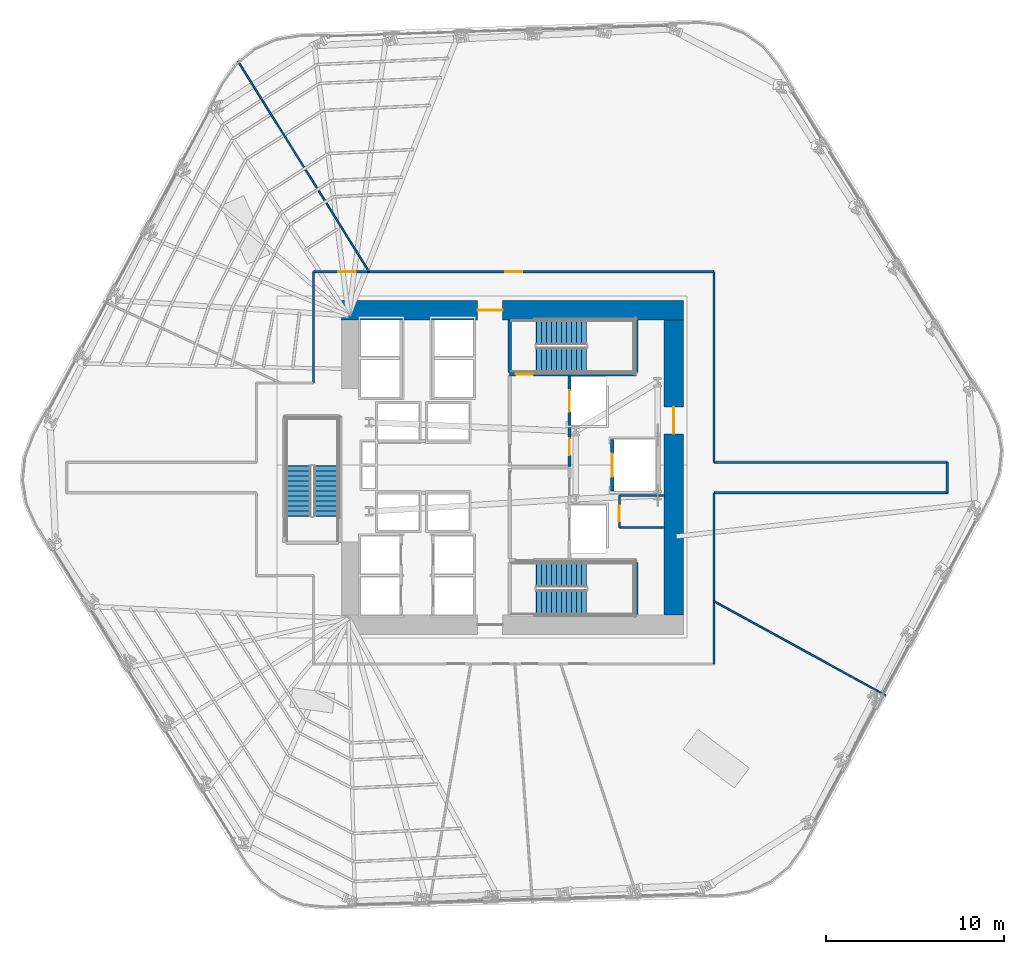
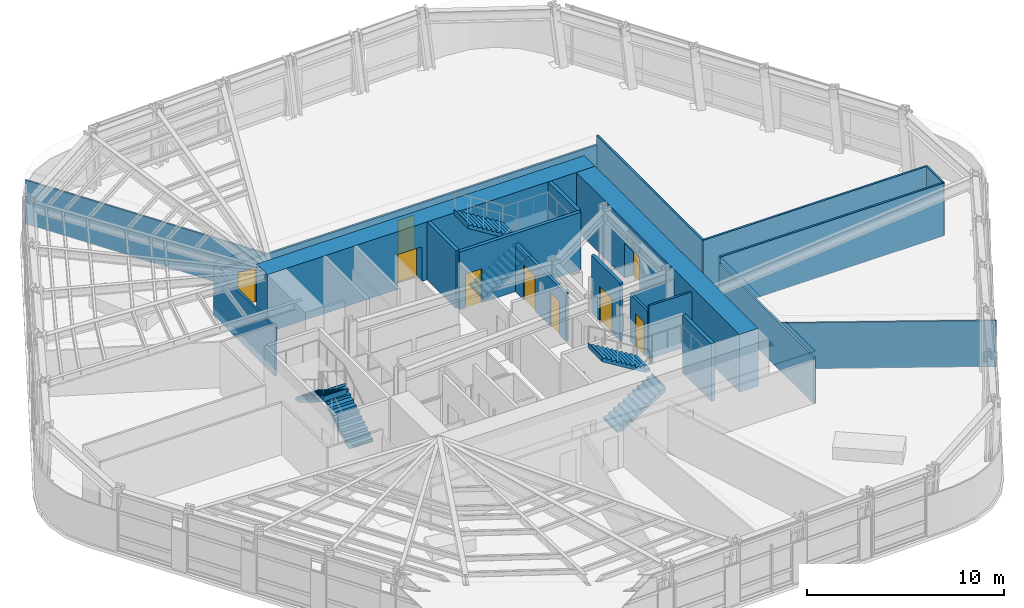
# One storey, part 9 of 15: 20 walls, 9 doors, 6 stair flights, 9 openings, 3 elements without a shape of their own.
"""IFC4 building model written with IfcOpenShell, lengths in metres."""

from ifc_helpers import new_model, si_unit, direction, frame, frame_2d, origin, place, context, subcontext, project, spatial, polyline, rectangle, outline, extrude, material, layer, layer_set, type_object, element, fill, aggregate, save


model = new_model("IFC4")

# Units and contexts
model_context = context("Model", 3, precision=1e-05, world=origin(), true_north=direction((0.0, 1.0)))
body_context = subcontext(model_context, "Body", "Model", "MODEL_VIEW")
ifc_project = project(units=[si_unit("LENGTHUNIT", "METRE"), si_unit("AREAUNIT", "SQUARE_METRE"), si_unit("VOLUMEUNIT", "CUBIC_METRE"), si_unit("PLANEANGLEUNIT", "RADIAN"), si_unit("MASSUNIT", "GRAM", prefix="KILO")], contexts=[model_context])

# Site, building, storey
site_placement = place(None, origin())
site = spatial("IfcSite", under=ifc_project, at=site_placement, CompositionType="ELEMENT")
building_placement = place(site_placement, origin())
building = spatial("IfcBuilding", under=site, at=building_placement, Name="Valkerne Bourse Tower", CompositionType="ELEMENT")
storey_placement = place(building_placement, frame((0.0, 0.0, 31.60009765625)))
storey = spatial("IfcBuildingStorey", under=building, at=storey_placement, Name="L07", CompositionType="ELEMENT", Elevation=31.60009765625)

# Wall, opening, door
ifc_material_1 = material(Name="Concrete C70/85", Category="concrete")
ifc_layer_1 = layer(ifc_material_1, 1.10009765625)
ifc_layer_set_1 = layer_set([ifc_layer_1], Name="Concrete C70/85")
wall_type_1 = type_object("IfcWallType", Name="W-CORE-1100", PredefinedType="SHEAR", material=ifc_layer_set_1)
wall_1_placement = place(storey_placement, frame((37.199951171875, 35.699951171875, 0.0), z_axis=(0.0, 0.0, 1.0), x_axis=(1.0, 0.0, 0.0)))
wall_1 = element("IfcWall", 1, at=wall_1_placement, inside=storey, type_object=wall_type_1, Name="L07 Core Shear Wall NORTH", PredefinedType="SHEAR", context=body_context, shape_type="SweptSolid", body=[
    extrude(rectangle(XDim=19.199951171875, YDim=1.10009765625, at=frame_2d((9.60009765625, 0.0))), origin(), (0.0, 0.0, 1.0), 3.579833984375),
])
opening_1_placement = place(wall_1_placement, frame((7.64990234375, 0.0, 0.0)))
opening_1 = element("IfcOpeningElement", 2, at=opening_1_placement, cuts=wall_1, Name="Opening D-PL-1400", PredefinedType="OPENING", context=body_context, shape_type="SweptSolid", body=[
    extrude(rectangle(XDim=1.39990234375, YDim=2.14990234375, at=frame_2d((0.699951171875, 1.074951171875))), frame((0.0, 0.56005859375, 0.0), z_axis=(0.0, -1.0, 0.0), x_axis=(1.0, 0.0, 0.0)), (0.0, 0.0, 1.0), 1.1201171875),
])
ifc_material_2 = material(Name="Galvanised Painted Steel", Category="steel")
door_type_1 = type_object("IfcDoorType", Name="DR-PLT-1400", OperationType="DOUBLE_DOOR_SINGLE_SWING", PredefinedType="DOOR", material=ifc_material_2)
door_1_placement = place(opening_1_placement, origin())
door_1 = element("IfcDoor", 3, at=door_1_placement, inside=storey, type_object=door_type_1, Name="L07 North Passenger Lift Hall Fire Door", OperationType="DOUBLE_DOOR_SINGLE_SWING", OverallHeight=2.14990234375, OverallWidth=1.39990234375, PredefinedType="DOOR", context=body_context, shape_type="SweptSolid", body=[
    extrude(rectangle(XDim=1.39990234375, YDim=2.14990234375, at=frame_2d((0.699951171875, 1.074951171875))), frame((0.0, 0.02490234375, 0.0), z_axis=(0.0, -1.0, 0.0), x_axis=(1.0, 0.0, 0.0)), (0.0, 0.0, 1.0), 0.050048828125),
])
fill(opening_1, door_1)

wall_2_placement = place(storey_placement, frame((55.85009765625, 18.60009765625, 0.0), z_axis=(0.0, 0.0, 1.0), x_axis=(0.0, 1.0, 0.0)))
wall_2 = element("IfcWall", 4, at=wall_2_placement, inside=storey, type_object=wall_type_1, Name="L07 Core Shear Wall EAST", PredefinedType="SHEAR", context=body_context, shape_type="SweptSolid", body=[
    extrude(rectangle(XDim=16.5498046875, YDim=1.10009765625, at=frame_2d((8.27490234375, 0.0))), origin(), (0.0, 0.0, 1.0), 3.579833984375),
])
opening_2_placement = place(wall_2_placement, frame((10.14990234375, 0.0, 0.0)))
opening_2 = element("IfcOpeningElement", 5, at=opening_2_placement, cuts=wall_2, Name="Opening D-CR-1500", PredefinedType="OPENING", context=body_context, shape_type="SweptSolid", body=[
    extrude(rectangle(XDim=1.5, YDim=2.14990234375, at=frame_2d((0.75, 1.074951171875))), frame((0.0, 0.56005859375, 0.0), z_axis=(0.0, -1.0, 0.0), x_axis=(1.0, 0.0, 0.0)), (0.0, 0.0, 1.0), 1.1201171875),
])
door_type_2 = type_object("IfcDoorType", Name="DR-CORR-1500", OperationType="DOUBLE_DOOR_SINGLE_SWING", PredefinedType="DOOR", material=ifc_material_2)
door_2_placement = place(opening_2_placement, origin())
door_2 = element("IfcDoor", 6, at=door_2_placement, inside=storey, type_object=door_type_2, Name="L07 East Core Service Lobby Fire Door", OperationType="DOUBLE_DOOR_SINGLE_SWING", OverallHeight=2.14990234375, OverallWidth=1.5, PredefinedType="DOOR", context=body_context, shape_type="SweptSolid", body=[
    extrude(rectangle(XDim=1.5, YDim=2.14990234375, at=frame_2d((0.75, 1.074951171875))), frame((0.0, 0.02490234375, 0.0), z_axis=(0.0, -1.0, 0.0), x_axis=(1.0, 0.0, 0.0)), (0.0, 0.0, 1.0), 0.050048828125),
])
fill(opening_2, door_2)

ifc_material_3 = material(Name="Gypsum Board Steel-Stud Partition", Category="steel")
ifc_layer_2 = layer(ifc_material_3, 0.117919921875)
ifc_layer_set_2 = layer_set([ifc_layer_2], Name="Gypsum Board Steel-Stud Partition")
wall_type_2 = type_object("IfcWallType", Name="W-CORR-140", PredefinedType="PARTITIONING", material=ifc_layer_set_2)
wall_3_placement = place(storey_placement, frame((52.800048828125, 23.5, 0.0), z_axis=(0.0, 0.0, 1.0), x_axis=(0.0, 1.0, 0.0)))
wall_3 = element("IfcWall", 7, at=wall_3_placement, inside=storey, type_object=wall_type_2, Name="L07 Core SE North-Bay West Wall", PredefinedType="PARTITIONING", context=body_context, shape_type="SweptSolid", body=[
    extrude(rectangle(XDim=1.800048828125, YDim=0.117919921875, at=frame_2d((0.89990234375, 0.0))), origin(), (0.0, 0.0, 1.0), 2.9580078125),
])
opening_3_placement = place(wall_3_placement, frame((0.35009765625, 0.0, 0.0)))
opening_3 = element("IfcOpeningElement", 8, at=opening_3_placement, cuts=wall_3, Name="Opening D-WC-900", PredefinedType="OPENING", context=body_context, shape_type="SweptSolid", body=[
    extrude(rectangle(XDim=0.860107421875, YDim=2.050048828125, at=frame_2d((0.43017578125, 1.02490234375))), frame((0.0, 0.06884765625, 0.0), z_axis=(0.0, -1.0, 0.0), x_axis=(1.0, 0.0, 0.0)), (0.0, 0.0, 1.0), 0.137939453125),
])
ifc_material_4 = material(Name="Architectural White Oak Timber", Category="wood")
door_type_3 = type_object("IfcDoorType", Name="DR-WC-900", OperationType="NOTDEFINED", PredefinedType="DOOR", material=ifc_material_4)
door_3_placement = place(opening_3_placement, origin())
door_3 = element("IfcDoor", 9, at=door_3_placement, inside=storey, type_object=door_type_3, Name="L07 Telecom Closet Door", OperationType="SINGLE_SWING_LEFT", OverallHeight=2.050048828125, OverallWidth=0.860107421875, PredefinedType="DOOR", context=body_context, shape_type="SweptSolid", body=[
    extrude(rectangle(XDim=0.860107421875, YDim=2.050048828125, at=frame_2d((0.43017578125, 1.02490234375))), frame((0.0, 0.02490234375, 0.0), z_axis=(0.0, -1.0, 0.0), x_axis=(1.0, 0.0, 0.0)), (0.0, 0.0, 1.0), 0.050048828125),
])
fill(opening_3, door_3)

# Walls
wall_4_placement = place(storey_placement, frame((52.800048828125, 23.5, 0.0), z_axis=(0.0, 0.0, 1.0), x_axis=(1.0, 0.0, 0.0)))
element("IfcWall", 10, at=wall_4_placement, inside=storey, type_object=wall_type_2, Name="L07 Core SE North-Bay South Wall", PredefinedType="PARTITIONING", context=body_context, shape_type="SweptSolid", body=[
    extrude(rectangle(XDim=2.52001953125, YDim=0.117919921875, at=frame_2d((1.260009765625, 0.0))), origin(), (0.0, 0.0, 1.0), 3.27978515625),
])
wall_5_placement = place(storey_placement, frame((52.800048828125, 25.300048828125, 0.0), z_axis=(0.0, 0.0, 1.0), x_axis=(1.0, 0.0, 0.0)))
element("IfcWall", 11, at=wall_5_placement, inside=storey, type_object=wall_type_2, Name="L07 Core SE North-Bay North Wall", PredefinedType="PARTITIONING", context=body_context, shape_type="SweptSolid", body=[
    extrude(rectangle(XDim=2.52001953125, YDim=0.117919921875, at=frame_2d((1.260009765625, 0.0))), origin(), (0.0, 0.0, 1.0), 2.9580078125),
])
wall_6_placement = place(storey_placement, frame((58.10009765625, 27.14990234375, 0.0), z_axis=(0.0, 0.0, 1.0), x_axis=(1.0, 0.0, 0.0)))
element("IfcWall", 12, at=wall_6_placement, inside=storey, type_object=wall_type_2, Name="L07 Corridor Enclosure Wall", PredefinedType="PARTITIONING", context=body_context, shape_type="SweptSolid", body=[
    extrude(rectangle(XDim=13.099853515625, YDim=0.117919921875, at=frame_2d((6.5498046875, 0.0))), origin(), (0.0, 0.0, 1.0), 3.27978515625),
])
wall_7_placement = place(storey_placement, frame((71.199951171875, 27.14990234375, 0.0), z_axis=(0.0, 0.0, 1.0), x_axis=(0.0, -1.0, 0.0)))
element("IfcWall", 13, at=wall_7_placement, inside=storey, type_object=wall_type_2, Name="L07 Corridor Enclosure Wall", PredefinedType="PARTITIONING", context=body_context, shape_type="SweptSolid", body=[
    extrude(rectangle(XDim=1.699951171875, YDim=0.117919921875, at=frame_2d((0.85009765625, 0.0))), origin(), (0.0, 0.0, 1.0), 3.27978515625),
])
wall_8_placement = place(storey_placement, frame((71.199951171875, 25.449951171875, 0.0), z_axis=(0.0, 0.0, 1.0), x_axis=(-1.0, 0.0, 0.0)))
element("IfcWall", 14, at=wall_8_placement, inside=storey, type_object=wall_type_2, Name="L07 Corridor Enclosure Wall", PredefinedType="PARTITIONING", context=body_context, shape_type="SweptSolid", body=[
    extrude(rectangle(XDim=13.099853515625, YDim=0.117919921875, at=frame_2d((6.5498046875, 0.0))), origin(), (0.0, 0.0, 1.0), 3.27978515625),
])
wall_9_placement = place(storey_placement, frame((58.10009765625, 25.449951171875, 0.0), z_axis=(0.0, 0.0, 1.0), x_axis=(0.0, -1.0, 0.0)))
element("IfcWall", 15, at=wall_9_placement, inside=storey, type_object=wall_type_2, Name="L07 Corridor Enclosure Wall", PredefinedType="PARTITIONING", context=body_context, shape_type="SweptSolid", body=[
    extrude(rectangle(XDim=9.599853515625, YDim=0.117919921875, at=frame_2d((4.7998046875, 0.0))), origin(), (0.0, 0.0, 1.0), 2.87646484375),
])
wall_10_placement = place(storey_placement, frame((35.64990234375, 31.60009765625, 0.0), z_axis=(0.0, 0.0, 1.0), x_axis=(0.0, 1.0, 0.0)))
element("IfcWall", 16, at=wall_10_placement, inside=storey, type_object=wall_type_2, Name="L07 Corridor Enclosure Wall", PredefinedType="PARTITIONING", context=body_context, shape_type="SweptSolid", body=[
    extrude(rectangle(XDim=6.25, YDim=0.117919921875, at=frame_2d((3.125, 0.0))), origin(), (0.0, 0.0, 1.0), 3.021240234375),
])

# Wall, openings, doors
wall_11_placement = place(storey_placement, frame((35.64990234375, 37.85009765625, 0.0), z_axis=(0.0, 0.0, 1.0), x_axis=(1.0, 0.0, 0.0)))
wall_11 = element("IfcWall", 17, at=wall_11_placement, inside=storey, type_object=wall_type_2, Name="L07 Corridor Enclosure Wall", PredefinedType="PARTITIONING", context=body_context, shape_type="SweptSolid", body=[
    extrude(rectangle(XDim=22.4501953125, YDim=0.117919921875, at=frame_2d((11.22509765625, 0.0))), origin(), (0.0, 0.0, 1.0), 2.71142578125),
])
opening_4_placement = place(wall_11_placement, frame((1.364990234375, 0.0, 0.0)))
opening_4 = element("IfcOpeningElement", 18, at=opening_4_placement, cuts=wall_11, Name="Opening D-MG-1000", PredefinedType="OPENING", context=body_context, shape_type="SweptSolid", body=[
    extrude(rectangle(XDim=1.0, YDim=2.14990234375, at=frame_2d((0.5, 1.074951171875))), frame((0.0, 0.06884765625, 0.0), z_axis=(0.0, -1.0, 0.0), x_axis=(1.0, 0.0, 0.0)), (0.0, 0.0, 1.0), 0.137939453125),
])
opening_5_placement = place(wall_11_placement, frame((10.75, 0.0, 0.0)))
opening_5 = element("IfcOpeningElement", 19, at=opening_5_placement, cuts=wall_11, Name="Opening D-OF-950", PredefinedType="OPENING", context=body_context, shape_type="SweptSolid", body=[
    extrude(rectangle(XDim=0.949951171875, YDim=2.10009765625, at=frame_2d((0.47509765625, 1.050048828125))), frame((0.0, 0.06884765625, 0.0), z_axis=(0.0, -1.0, 0.0), x_axis=(1.0, 0.0, 0.0)), (0.0, 0.0, 1.0), 0.137939453125),
])
ifc_material_5 = material(Name="Laminated Tempered Safety Glass", Category="glass")
door_type_4 = type_object("IfcDoorType", Name="DR-MTG-1000", OperationType="NOTDEFINED", PredefinedType="DOOR", material=ifc_material_5)
door_4_placement = place(opening_4_placement, origin())
door_4 = element("IfcDoor", 20, at=door_4_placement, inside=storey, type_object=door_type_4, Name="L07 L07 Client Strategy Conference Room 3 Door", OperationType="SINGLE_SWING_RIGHT", OverallHeight=2.14990234375, OverallWidth=1.0, PredefinedType="DOOR", context=body_context, shape_type="SweptSolid", body=[
    extrude(rectangle(XDim=1.0, YDim=2.14990234375, at=frame_2d((0.5, 1.074951171875))), frame((0.0, 0.02490234375, 0.0), z_axis=(0.0, -1.0, 0.0), x_axis=(1.0, 0.0, 0.0)), (0.0, 0.0, 1.0), 0.050048828125),
])
fill(opening_4, door_4)
door_type_5 = type_object("IfcDoorType", Name="DR-OFF-950", OperationType="NOTDEFINED", PredefinedType="DOOR", material=ifc_material_4)
door_5_placement = place(opening_5_placement, origin())
door_5 = element("IfcDoor", 21, at=door_5_placement, inside=storey, type_object=door_type_5, Name="L07 L07 Hospitality Catering Kitchen 6 Door", OperationType="SINGLE_SWING_RIGHT", OverallHeight=2.10009765625, OverallWidth=0.949951171875, PredefinedType="DOOR", context=body_context, shape_type="SweptSolid", body=[
    extrude(rectangle(XDim=0.949951171875, YDim=2.10009765625, at=frame_2d((0.47509765625, 1.050048828125))), frame((0.0, 0.02490234375, 0.0), z_axis=(0.0, -1.0, 0.0), x_axis=(1.0, 0.0, 0.0)), (0.0, 0.0, 1.0), 0.050048828125),
])
fill(opening_5, door_5)

# Wall
wall_12_placement = place(storey_placement, frame((58.10009765625, 37.85009765625, 0.0), z_axis=(0.0, 0.0, 1.0), x_axis=(0.0, -1.0, 0.0)))
element("IfcWall", 22, at=wall_12_placement, inside=storey, type_object=wall_type_2, Name="L07 Corridor Enclosure Wall", PredefinedType="PARTITIONING", context=body_context, shape_type="SweptSolid", body=[
    extrude(rectangle(XDim=10.7001953125, YDim=0.117919921875, at=frame_2d((5.35009765625, 0.0))), origin(), (0.0, 0.0, 1.0), 3.27978515625),
])

# Wall, openings, doors
ifc_material_6 = material(Name="Gypsum Fire-Rated Shaftwall", Category="gypsum")
ifc_layer_3 = layer(ifc_material_6, 0.179931640625)
ifc_layer_set_3 = layer_set([ifc_layer_3], Name="Gypsum Fire-Rated Shaftwall")
wall_type_3 = type_object("IfcWallType", Name="W-FSAE-180", PredefinedType="PARTITIONING", material=ifc_layer_set_3)
wall_13_placement = place(storey_placement, frame((50.0, 26.919921875, 0.0), z_axis=(0.0, 0.0, 1.0), x_axis=(0.0, 1.0, 0.0)))
wall_13 = element("IfcWall", 23, at=wall_13_placement, inside=storey, type_object=wall_type_3, Name="L07 FSAE-2 Lobby & Shaft Front Wall", PredefinedType="PARTITIONING", context=body_context, shape_type="SweptSolid", body=[
    extrude(rectangle(XDim=5.080078125, YDim=0.179931640625, at=frame_2d((2.5400390625, 0.0))), origin(), (0.0, 0.0, 1.0), 2.9580078125),
])
opening_6_placement = place(wall_13_placement, frame((3.080078125, 0.0, 0.0)))
opening_6 = element("IfcOpeningElement", 24, at=opening_6_placement, cuts=wall_13, Name="Opening LD-1200", PredefinedType="OPENING", context=body_context, shape_type="SweptSolid", body=[
    extrude(rectangle(XDim=1.199951171875, YDim=2.14990234375, at=frame_2d((0.60009765625, 1.074951171875))), frame((0.0, 0.099853515625, 0.0), z_axis=(0.0, -1.0, 0.0), x_axis=(1.0, 0.0, 0.0)), (0.0, 0.0, 1.0), 0.199951171875),
])
opening_7_placement = place(wall_13_placement, frame((0.6298828125, 0.0, 0.0)))
opening_7 = element("IfcOpeningElement", 25, at=opening_7_placement, cuts=wall_13, Name="Opening D-FS-950", PredefinedType="OPENING", context=body_context, shape_type="SweptSolid", body=[
    extrude(rectangle(XDim=0.949951171875, YDim=2.10009765625, at=frame_2d((0.47509765625, 1.050048828125))), frame((0.0, 0.099853515625, 0.0), z_axis=(0.0, -1.0, 0.0), x_axis=(1.0, 0.0, 0.0)), (0.0, 0.0, 1.0), 0.199951171875),
])
door_type_6 = type_object("IfcDoorType", Name="DR-FSAE-950", OperationType="NOTDEFINED", PredefinedType="DOOR", material=ifc_material_2)
door_6_placement = place(opening_7_placement, origin())
door_6 = element("IfcDoor", 26, at=door_6_placement, inside=storey, type_object=door_type_6, Name="L07 FSAE-2 Lobby Corridor Fire Door", OperationType="SINGLE_SWING_LEFT", OverallHeight=2.10009765625, OverallWidth=0.949951171875, PredefinedType="DOOR", context=body_context, shape_type="SweptSolid", body=[
    extrude(rectangle(XDim=0.949951171875, YDim=2.10009765625, at=frame_2d((0.47509765625, 1.050048828125))), frame((0.0, 0.02490234375, 0.0), z_axis=(0.0, -1.0, 0.0), x_axis=(1.0, 0.0, 0.0)), (0.0, 0.0, 1.0), 0.050048828125),
])
fill(opening_7, door_6)
ifc_material_7 = material(Name="Stainless Steel AISI 316", Category="steel")
door_type_7 = type_object("IfcDoorType", Name="DR-LIFT-1200", OperationType="DOUBLE_DOOR_SLIDING", PredefinedType="DOOR", material=ifc_material_7)
door_7_placement = place(opening_6_placement, origin())
door_7 = element("IfcDoor", 27, at=door_7_placement, inside=storey, type_object=door_type_7, Name="L07 FSAE-2 Firefighting Lift Landing Door", OperationType="DOUBLE_DOOR_SLIDING", OverallHeight=2.14990234375, OverallWidth=1.199951171875, PredefinedType="DOOR", context=body_context, shape_type="SweptSolid", body=[
    extrude(rectangle(XDim=1.199951171875, YDim=2.14990234375, at=frame_2d((0.60009765625, 1.074951171875))), frame((0.0, 0.02490234375, 0.0), z_axis=(0.0, -1.0, 0.0), x_axis=(1.0, 0.0, 0.0)), (0.0, 0.0, 1.0), 0.050048828125),
])
fill(opening_6, door_7)

# Wall, opening, door
ifc_material_8 = material(Name="CMU Blockwork Masonry 200mm", Category="masonry")
ifc_layer_4 = layer(ifc_material_8, 0.179931640625)
ifc_layer_set_4 = layer_set([ifc_layer_4], Name="CMU Blockwork Masonry 200mm")
wall_type_4 = type_object("IfcWallType", Name="W-LFT-180", PredefinedType="SOLIDWALL", material=ifc_layer_set_4)
wall_14_placement = place(storey_placement, frame((52.39990234375, 25.550048828125, 0.0), z_axis=(0.0, 0.0, 1.0), x_axis=(0.0, 1.0, 0.0)))
wall_14 = element("IfcWall", 28, at=wall_14_placement, inside=storey, type_object=wall_type_4, Name="L07 Service Lift SV-1 Front Wall", PredefinedType="SOLIDWALL", context=body_context, shape_type="SweptSolid", body=[
    extrude(rectangle(XDim=2.89990234375, YDim=0.179931640625, at=frame_2d((1.449951171875, 0.0))), origin(), (0.0, 0.0, 1.0), 3.579833984375),
])
opening_8_placement = place(wall_14_placement, frame((0.800048828125, 0.0, 0.0)))
opening_8 = element("IfcOpeningElement", 29, at=opening_8_placement, cuts=wall_14, Name="Opening LD-1300", PredefinedType="OPENING", context=body_context, shape_type="SweptSolid", body=[
    extrude(rectangle(XDim=1.300048828125, YDim=2.14990234375, at=frame_2d((0.64990234375, 1.074951171875))), frame((0.0, 0.099853515625, 0.0), z_axis=(0.0, -1.0, 0.0), x_axis=(1.0, 0.0, 0.0)), (0.0, 0.0, 1.0), 0.199951171875),
])
door_type_8 = type_object("IfcDoorType", Name="DR-LIFT-1300", OperationType="DOUBLE_DOOR_SLIDING", PredefinedType="DOOR", material=ifc_material_7)
door_8_placement = place(opening_8_placement, origin())
door_8 = element("IfcDoor", 30, at=door_8_placement, inside=storey, type_object=door_type_8, Name="L07 Service Lift SV-1 Landing Door", OperationType="DOUBLE_DOOR_SLIDING", OverallHeight=2.14990234375, OverallWidth=1.300048828125, PredefinedType="DOOR", context=body_context, shape_type="SweptSolid", body=[
    extrude(rectangle(XDim=1.300048828125, YDim=2.14990234375, at=frame_2d((0.64990234375, 1.074951171875))), frame((0.0, 0.02490234375, 0.0), z_axis=(0.0, -1.0, 0.0), x_axis=(1.0, 0.0, 0.0)), (0.0, 0.0, 1.0), 0.050048828125),
])
fill(opening_8, door_8)

# Walls
ifc_layer_5 = layer(ifc_material_3, 0.092041015625)
ifc_layer_set_5 = layer_set([ifc_layer_5], Name="Gypsum Board Steel-Stud Partition")
wall_type_5 = type_object("IfcWallType", Name="W-PART-115", PredefinedType="PARTITIONING", material=ifc_layer_set_5)
wall_15_placement = place(storey_placement, frame((58.10498046875, 19.367919921875, 0.0), z_axis=(0.0, 0.0, 1.0), x_axis=(0.876701395027, -0.481034992447, 0.0)))
element("IfcWall", 31, at=wall_15_placement, inside=storey, type_object=wall_type_5, Name="L07 Suite Partition P04", PredefinedType="PARTITIONING", context=body_context, shape_type="SweptSolid", body=[
    extrude(rectangle(XDim=10.97900390625, YDim=0.092041015625, at=frame_2d((5.489501953125, 0.0))), origin(), (0.0, 0.0, 1.0), 2.86376953125),
])
wall_16_placement = place(storey_placement, frame((38.75537109375, 37.85498046875, 0.0), z_axis=(0.0, 0.0, 1.0), x_axis=(-0.528611431703, 0.848863919761, 0.0)))
element("IfcWall", 32, at=wall_16_placement, inside=storey, type_object=wall_type_5, Name="L07 Suite Partition P05", PredefinedType="PARTITIONING", context=body_context, shape_type="SweptSolid", body=[
    extrude(rectangle(XDim=13.90966796875, YDim=0.092041015625, at=frame_2d((6.954833984375, 0.0))), origin(), (0.0, 0.0, 1.0), 2.71142578125),
])
ifc_material_9 = material(Name="Concrete C40/50", Category="concrete")
ifc_layer_6 = layer(ifc_material_9, 0.199951171875)
ifc_layer_set_6 = layer_set([ifc_layer_6], Name="Concrete C40/50")
wall_type_6 = type_object("IfcWallType", Name="W-SHF-200", PredefinedType="SHEAR", material=ifc_layer_set_6)
wall_17_placement = place(storey_placement, frame((53.75, 18.60009765625, 0.0), z_axis=(0.0, 0.0, 1.0), x_axis=(0.0, 1.0, 0.0)))
element("IfcWall", 33, at=wall_17_placement, inside=storey, type_object=wall_type_6, Name="L07 Exit Stair ST-1 Structural Shaft Wall East", PredefinedType="SHEAR", context=body_context, shape_type="SweptSolid", body=[
    extrude(rectangle(XDim=2.949951171875, YDim=0.199951171875, at=frame_2d((1.47509765625, 0.0))), origin(), (0.0, 0.0, 1.0), 3.579833984375),
])

# Wall, opening, door
wall_18_placement = place(storey_placement, frame((46.64990234375, 32.10009765625, 0.0), z_axis=(0.0, 0.0, 1.0), x_axis=(1.0, 0.0, 0.0)))
wall_18 = element("IfcWall", 34, at=wall_18_placement, inside=storey, type_object=wall_type_6, Name="L07 Exit Stair ST-2 Structural Shaft Wall South", PredefinedType="SHEAR", context=body_context, shape_type="SweptSolid", body=[
    extrude(rectangle(XDim=7.10009765625, YDim=0.199951171875, at=frame_2d((3.550048828125, 0.0))), origin(), (0.0, 0.0, 1.0), 3.579833984375),
])
opening_9_placement = place(wall_18_placement, frame((0.35009765625, 0.0, 0.0)))
opening_9 = element("IfcOpeningElement", 35, at=opening_9_placement, cuts=wall_18, Name="Opening D-ST-950", PredefinedType="OPENING", context=body_context, shape_type="SweptSolid", body=[
    extrude(rectangle(XDim=0.949951171875, YDim=2.10009765625, at=frame_2d((0.47509765625, 1.050048828125))), frame((0.0, 0.10986328125, 0.0), z_axis=(0.0, -1.0, 0.0), x_axis=(1.0, 0.0, 0.0)), (0.0, 0.0, 1.0), 0.219970703125),
])
door_type_9 = type_object("IfcDoorType", Name="DR-STAIR-950", OperationType="NOTDEFINED", PredefinedType="DOOR", material=ifc_material_2)
door_9_placement = place(opening_9_placement, origin())
door_9 = element("IfcDoor", 36, at=door_9_placement, inside=storey, type_object=door_type_9, Name="L07 Exit Stair ST-2 Door", OperationType="SINGLE_SWING_RIGHT", OverallHeight=2.10009765625, OverallWidth=0.949951171875, PredefinedType="DOOR", context=body_context, shape_type="SweptSolid", body=[
    extrude(rectangle(XDim=0.949951171875, YDim=2.10009765625, at=frame_2d((0.47509765625, 1.050048828125))), frame((0.0, 0.02490234375, 0.0), z_axis=(0.0, -1.0, 0.0), x_axis=(1.0, 0.0, 0.0)), (0.0, 0.0, 1.0), 0.050048828125),
])
fill(opening_9, door_9)

# Walls
for number, where, z_axis, x_axis, name in (
    (37, (46.64990234375, 32.199951171875, 0.0), (0.0, 0.0, 1.0), (0.0, 1.0, 0.0), "L07 Exit Stair ST-2 Structural Shaft Wall West"),
    (38, (53.75, 32.199951171875, 0.0), (0.0, 0.0, 1.0), (0.0, 1.0, 0.0), "L07 Exit Stair ST-2 Structural Shaft Wall East"),
):
    element("IfcWall", number, at=place(storey_placement, frame(where, z_axis=z_axis, x_axis=x_axis)), inside=storey, type_object=wall_type_6, Name=name, PredefinedType="SHEAR", context=body_context, shape_type="SweptSolid", body=[
        extrude(rectangle(XDim=2.949951171875, YDim=0.199951171875, at=frame_2d((1.47509765625, 0.0))), origin(), (0.0, 0.0, 1.0), 3.579833984375),
    ])

# Stair, stair flights
stair_type = type_object("IfcStairType", Name="ST-CORE-1400", PredefinedType="HALF_TURN_STAIR", material=ifc_material_9)
stair_1_placement = place(storey_placement, origin())
stair_1 = element("IfcStair", 39, at=stair_1_placement, inside=storey, type_object=stair_type, Name="L07 ST-1", PredefinedType="HALF_TURN_STAIR")
stair_flight_type = type_object("IfcStairFlightType", Name="STF-CORE-1400", PredefinedType="STRAIGHT", material=ifc_material_9)
stair_flight_1_placement = place(storey_placement, frame((48.14990234375, 19.300048828125, 0.0), z_axis=(0.0, 0.0, 1.0), x_axis=(1.0, 0.0, 0.0)))
stair_flight_1 = element("IfcStairFlight", 40, at=stair_flight_1_placement, type_object=stair_flight_type, Name="ST-1 flight 1", NumberOfRisers=11, NumberOfTreads=10, PredefinedType="STRAIGHT", RiserHeight=0.172727273, TreadLength=0.28, context=body_context, shape_type="SweptSolid", body=[
    extrude(outline(polyline([(-0.02001953125, 0.0), (-0.02001953125, 0.044921875), (0.0, 0.044921875), (0.0, 0.172607421875), (0.280029296875, 0.172607421875), (0.280029296875, 0.345458984375), (0.56005859375, 0.345458984375), (0.56005859375, 0.51806640625), (0.840087890625, 0.51806640625), (0.840087890625, 0.69091796875), (1.1201171875, 0.69091796875), (1.1201171875, 0.863525390625), (1.39990234375, 0.863525390625), (1.39990234375, 1.036376953125), (1.679931640625, 1.036376953125), (1.679931640625, 1.208984375), (1.9599609375, 1.208984375), (1.9599609375, 1.3818359375), (2.239990234375, 1.3818359375), (2.239990234375, 1.554443359375), (2.52001953125, 1.554443359375), (2.52001953125, 1.727294921875), (2.800048828125, 1.727294921875), (2.800048828125, 1.89990234375), (2.820068359375, 1.89990234375), (2.820068359375, 1.780029296875), (2.800048828125, 1.551025390625), (0.285400390625, 0.0), (-0.02001953125, 0.0)])), frame((0.0, 0.699951171875, 0.0), z_axis=(0.0, -1.0, 0.0), x_axis=(1.0, 0.0, 0.0)), (0.0, 0.0, 1.0), 1.39990234375),
])
stair_flight_2_placement = place(storey_placement, frame((50.949951171875, 20.85009765625, 1.89990234375), z_axis=(0.0, 0.0, 1.0), x_axis=(-1.0, 0.0, 0.0)))
stair_flight_2 = element("IfcStairFlight", 41, at=stair_flight_2_placement, type_object=stair_flight_type, Name="ST-1 flight 2", NumberOfRisers=11, NumberOfTreads=10, PredefinedType="STRAIGHT", RiserHeight=0.172727273, TreadLength=0.28, context=body_context, shape_type="SweptSolid", body=[
    extrude(outline(polyline([(-0.02001953125, 0.0), (-0.02001953125, 0.044921875), (0.0, 0.044921875), (0.0, 0.172607421875), (0.280029296875, 0.172607421875), (0.280029296875, 0.345458984375), (0.56005859375, 0.345458984375), (0.56005859375, 0.51806640625), (0.840087890625, 0.51806640625), (0.840087890625, 0.69091796875), (1.1201171875, 0.69091796875), (1.1201171875, 0.863525390625), (1.39990234375, 0.863525390625), (1.39990234375, 1.036376953125), (1.679931640625, 1.036376953125), (1.679931640625, 1.208984375), (1.9599609375, 1.208984375), (1.9599609375, 1.3818359375), (2.239990234375, 1.3818359375), (2.239990234375, 1.554443359375), (2.52001953125, 1.554443359375), (2.52001953125, 1.727294921875), (2.800048828125, 1.727294921875), (2.800048828125, 1.89990234375), (2.820068359375, 1.89990234375), (2.820068359375, 1.780029296875), (2.800048828125, 1.551025390625), (0.285400390625, 0.0), (-0.02001953125, 0.0)])), frame((0.0, 0.699951171875, 0.0), z_axis=(0.0, -1.0, 0.0), x_axis=(1.0, 0.0, 0.0)), (0.0, 0.0, 1.0), 1.39990234375),
])
aggregate(stair_1, [stair_flight_1, stair_flight_2])

stair_2_placement = place(storey_placement, origin())
stair_2 = element("IfcStair", 42, at=stair_2_placement, inside=storey, type_object=stair_type, Name="L07 ST-2", PredefinedType="HALF_TURN_STAIR")
stair_flight_3_placement = place(storey_placement, frame((48.14990234375, 32.89990234375, 0.0), z_axis=(0.0, 0.0, 1.0), x_axis=(1.0, 0.0, 0.0)))
stair_flight_3 = element("IfcStairFlight", 43, at=stair_flight_3_placement, type_object=stair_flight_type, Name="ST-2 flight 1", NumberOfRisers=11, NumberOfTreads=10, PredefinedType="STRAIGHT", RiserHeight=0.172727273, TreadLength=0.28, context=body_context, shape_type="SweptSolid", body=[
    extrude(outline(polyline([(-0.02001953125, 0.0), (-0.02001953125, 0.044921875), (0.0, 0.044921875), (0.0, 0.172607421875), (0.280029296875, 0.172607421875), (0.280029296875, 0.345458984375), (0.56005859375, 0.345458984375), (0.56005859375, 0.51806640625), (0.840087890625, 0.51806640625), (0.840087890625, 0.69091796875), (1.1201171875, 0.69091796875), (1.1201171875, 0.863525390625), (1.39990234375, 0.863525390625), (1.39990234375, 1.036376953125), (1.679931640625, 1.036376953125), (1.679931640625, 1.208984375), (1.9599609375, 1.208984375), (1.9599609375, 1.3818359375), (2.239990234375, 1.3818359375), (2.239990234375, 1.554443359375), (2.52001953125, 1.554443359375), (2.52001953125, 1.727294921875), (2.800048828125, 1.727294921875), (2.800048828125, 1.89990234375), (2.820068359375, 1.89990234375), (2.820068359375, 1.780029296875), (2.800048828125, 1.551025390625), (0.285400390625, 0.0), (-0.02001953125, 0.0)])), frame((0.0, 0.699951171875, 0.0), z_axis=(0.0, -1.0, 0.0), x_axis=(1.0, 0.0, 0.0)), (0.0, 0.0, 1.0), 1.39990234375),
])
stair_flight_4_placement = place(storey_placement, frame((50.949951171875, 34.449951171875, 1.89990234375), z_axis=(0.0, 0.0, 1.0), x_axis=(-1.0, 0.0, 0.0)))
stair_flight_4 = element("IfcStairFlight", 44, at=stair_flight_4_placement, type_object=stair_flight_type, Name="ST-2 flight 2", NumberOfRisers=11, NumberOfTreads=10, PredefinedType="STRAIGHT", RiserHeight=0.172727273, TreadLength=0.28, context=body_context, shape_type="SweptSolid", body=[
    extrude(outline(polyline([(-0.02001953125, 0.0), (-0.02001953125, 0.044921875), (0.0, 0.044921875), (0.0, 0.172607421875), (0.280029296875, 0.172607421875), (0.280029296875, 0.345458984375), (0.56005859375, 0.345458984375), (0.56005859375, 0.51806640625), (0.840087890625, 0.51806640625), (0.840087890625, 0.69091796875), (1.1201171875, 0.69091796875), (1.1201171875, 0.863525390625), (1.39990234375, 0.863525390625), (1.39990234375, 1.036376953125), (1.679931640625, 1.036376953125), (1.679931640625, 1.208984375), (1.9599609375, 1.208984375), (1.9599609375, 1.3818359375), (2.239990234375, 1.3818359375), (2.239990234375, 1.554443359375), (2.52001953125, 1.554443359375), (2.52001953125, 1.727294921875), (2.800048828125, 1.727294921875), (2.800048828125, 1.89990234375), (2.820068359375, 1.89990234375), (2.820068359375, 1.780029296875), (2.800048828125, 1.551025390625), (0.285400390625, 0.0), (-0.02001953125, 0.0)])), frame((0.0, 0.699951171875, 0.0), z_axis=(0.0, -1.0, 0.0), x_axis=(1.0, 0.0, 0.0)), (0.0, 0.0, 1.0), 1.39990234375),
])
aggregate(stair_2, [stair_flight_3, stair_flight_4])

stair_3_placement = place(storey_placement, origin())
stair_3 = element("IfcStair", 45, at=stair_3_placement, inside=storey, type_object=stair_type, Name="L07 ST-3", PredefinedType="HALF_TURN_STAIR")
stair_flight_5_placement = place(storey_placement, frame((36.35009765625, 24.14990234375, 0.0), z_axis=(0.0, 0.0, 1.0), x_axis=(0.0, 1.0, 0.0)))
stair_flight_5 = element("IfcStairFlight", 46, at=stair_flight_5_placement, type_object=stair_flight_type, Name="ST-3 flight 1", NumberOfRisers=11, NumberOfTreads=10, PredefinedType="STRAIGHT", RiserHeight=0.172727273, TreadLength=0.28, context=body_context, shape_type="SweptSolid", body=[
    extrude(outline(polyline([(-0.02001953125, 0.0), (-0.02001953125, 0.044921875), (0.0, 0.044921875), (0.0, 0.172607421875), (0.280029296875, 0.172607421875), (0.280029296875, 0.345458984375), (0.56005859375, 0.345458984375), (0.56005859375, 0.51806640625), (0.840087890625, 0.51806640625), (0.840087890625, 0.69091796875), (1.1201171875, 0.69091796875), (1.1201171875, 0.863525390625), (1.39990234375, 0.863525390625), (1.39990234375, 1.036376953125), (1.679931640625, 1.036376953125), (1.679931640625, 1.208984375), (1.9599609375, 1.208984375), (1.9599609375, 1.3818359375), (2.239990234375, 1.3818359375), (2.239990234375, 1.554443359375), (2.52001953125, 1.554443359375), (2.52001953125, 1.727294921875), (2.800048828125, 1.727294921875), (2.800048828125, 1.89990234375), (2.820068359375, 1.89990234375), (2.820068359375, 1.780029296875), (2.800048828125, 1.551025390625), (0.285400390625, 0.0), (-0.02001953125, 0.0)])), frame((0.0, 0.699951171875, 0.0), z_axis=(0.0, -1.0, 0.0), x_axis=(1.0, 0.0, 0.0)), (0.0, 0.0, 1.0), 1.39990234375),
])
stair_flight_6_placement = place(storey_placement, frame((34.800048828125, 26.949951171875, 1.89990234375), z_axis=(0.0, 0.0, 1.0), x_axis=(0.0, -1.0, 0.0)))
stair_flight_6 = element("IfcStairFlight", 47, at=stair_flight_6_placement, type_object=stair_flight_type, Name="ST-3 flight 2", NumberOfRisers=11, NumberOfTreads=10, PredefinedType="STRAIGHT", RiserHeight=0.172727273, TreadLength=0.28, context=body_context, shape_type="SweptSolid", body=[
    extrude(outline(polyline([(-0.02001953125, 0.0), (-0.02001953125, 0.044921875), (0.0, 0.044921875), (0.0, 0.172607421875), (0.280029296875, 0.172607421875), (0.280029296875, 0.345458984375), (0.56005859375, 0.345458984375), (0.56005859375, 0.51806640625), (0.840087890625, 0.51806640625), (0.840087890625, 0.69091796875), (1.1201171875, 0.69091796875), (1.1201171875, 0.863525390625), (1.39990234375, 0.863525390625), (1.39990234375, 1.036376953125), (1.679931640625, 1.036376953125), (1.679931640625, 1.208984375), (1.9599609375, 1.208984375), (1.9599609375, 1.3818359375), (2.239990234375, 1.3818359375), (2.239990234375, 1.554443359375), (2.52001953125, 1.554443359375), (2.52001953125, 1.727294921875), (2.800048828125, 1.727294921875), (2.800048828125, 1.89990234375), (2.820068359375, 1.89990234375), (2.820068359375, 1.780029296875), (2.800048828125, 1.551025390625), (0.285400390625, 0.0), (-0.02001953125, 0.0)])), frame((0.0, 0.699951171875, 0.0), z_axis=(0.0, -1.0, 0.0), x_axis=(1.0, 0.0, 0.0)), (0.0, 0.0, 1.0), 1.39990234375),
])
aggregate(stair_3, [stair_flight_5, stair_flight_6])

save(model, "model.ifc")
